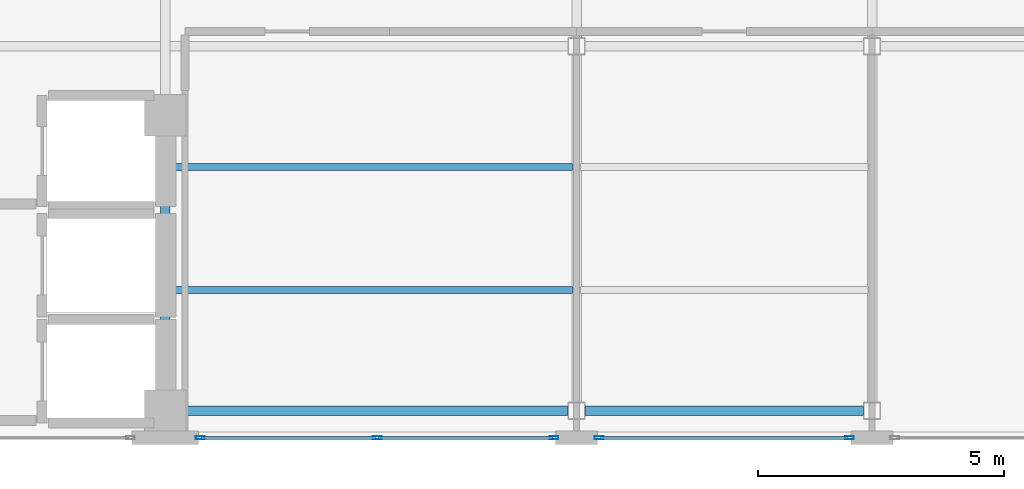
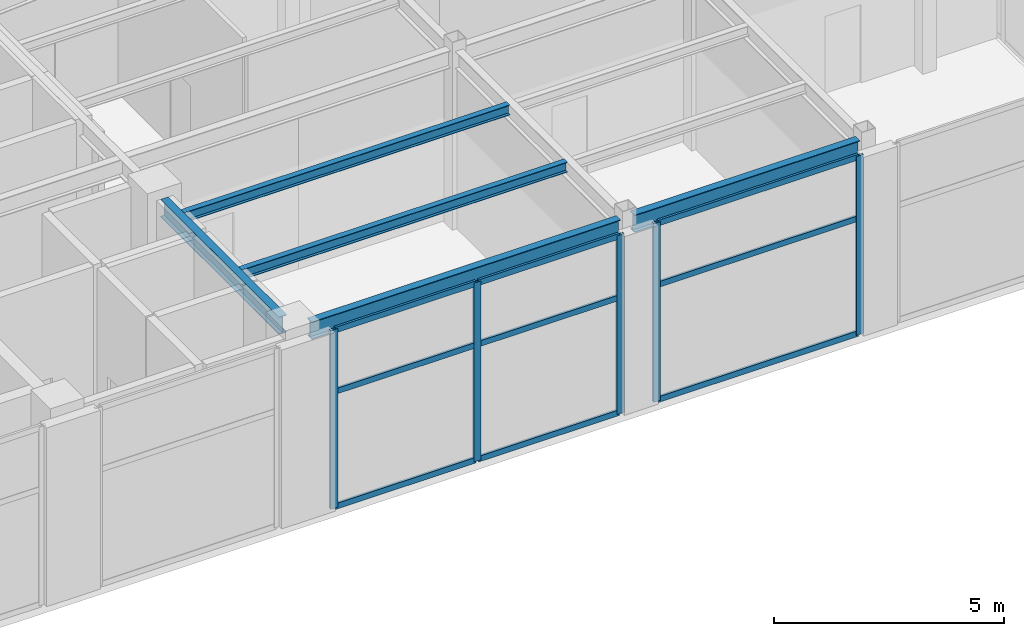
# One storey, part 4 of 15: 14 members, 5 beams, 2 elements without a shape of their own.
"""IFC4 building model written with IfcOpenShell, lengths in metres."""

from ifc_helpers import new_model, si_unit, direction, frame, origin, origin_2d, place, context, subcontext, project, spatial, hollow_rectangle, i_section, extrude, material, layer, layer_set, material_profile, profile_set, type_object, element, aggregate, save


model = new_model("IFC4")

# Units and contexts
model_context = context("Model", 3, precision=1e-05, world=origin(), true_north=direction((0.0, 1.0)))
body_context = subcontext(model_context, "Body", "Model", "MODEL_VIEW")
ifc_project = project(units=[si_unit("LENGTHUNIT", "METRE"), si_unit("AREAUNIT", "SQUARE_METRE"), si_unit("VOLUMEUNIT", "CUBIC_METRE"), si_unit("PLANEANGLEUNIT", "RADIAN"), si_unit("MASSUNIT", "GRAM", prefix="KILO")], contexts=[model_context])

# Site, building, storey
site_placement = place(None, origin())
site = spatial("IfcSite", under=ifc_project, at=site_placement, CompositionType="ELEMENT")
building_placement = place(site_placement, origin())
building = spatial("IfcBuilding", under=site, at=building_placement, Name="Mawjaban Terraces University", CompositionType="ELEMENT")
storey_placement = place(building_placement, frame((0.0, 0.0, 306.699951171875)))
storey = spatial("IfcBuildingStorey", under=building, at=storey_placement, Name="L75", CompositionType="ELEMENT", Elevation=306.699951171875)

# Beams
ifc_material_1 = material(Name="Steel ASTM A572 Grade 50", Category="steel")
ifc_material_profile_1 = material_profile(ifc_material_1, i_section(OverallWidth=0.19189453125, OverallDepth=0.462890625, WebThickness=0.010498046875, FlangeThickness=0.017578125, at=origin_2d()), Name="W460X89")
ifc_profile_set_1 = profile_set([ifc_material_profile_1], Name="Steel ASTM A572 Grade 50")
beam_type_1 = type_object("IfcBeamType", Name="Beam_B_W460X89", PredefinedType="BEAM", material=ifc_profile_set_1)
beam_1_placement = place(storey_placement, frame((38.074951171875, 0.550048828125, 4.509033203125), z_axis=(1.0, 0.0, 0.0), x_axis=(0.0, 1.0, 0.0)))
element("IfcBeam", 1, at=beam_1_placement, inside=storey, type_object=beam_type_1, Name="L75 Beam BM-L75-EW-01", PredefinedType="BEAM", context=body_context, shape_type="SweptSolid", body=[
    extrude(i_section(OverallWidth=0.19189453125, OverallDepth=0.462890625, WebThickness=0.010498046875, FlangeThickness=0.017578125, at=origin_2d()), origin(), (0.0, 0.0, 1.0), 7.75),
])
beam_2_placement = place(storey_placement, frame((46.175048828125, 0.550048828125, 4.509033203125), z_axis=(1.0, 0.0, 0.0), x_axis=(0.0, 1.0, 0.0)))
element("IfcBeam", 2, at=beam_2_placement, inside=storey, type_object=beam_type_1, Name="L75 Beam BM-L75-EW-02", PredefinedType="BEAM", context=body_context, shape_type="SweptSolid", body=[
    extrude(i_section(OverallWidth=0.19189453125, OverallDepth=0.462890625, WebThickness=0.010498046875, FlangeThickness=0.017578125, at=origin_2d()), origin(), (0.0, 0.0, 1.0), 5.64990234375),
])
beam_3_placement = place(storey_placement, frame((37.64990234375, 0.97509765625, 4.509033203125), z_axis=(0.0, 1.0, 0.0), x_axis=(-1.0, 0.0, 0.0)))
element("IfcBeam", 3, at=beam_3_placement, inside=storey, type_object=beam_type_1, Name="L75 Beam BM-L75-NS-04", PredefinedType="BEAM", context=body_context, shape_type="SweptSolid", body=[
    extrude(i_section(OverallWidth=0.19189453125, OverallDepth=0.462890625, WebThickness=0.010498046875, FlangeThickness=0.017578125, at=origin_2d()), origin(), (0.0, 0.0, 1.0), 5.14990234375),
])
ifc_material_profile_2 = material_profile(ifc_material_1, i_section(OverallWidth=0.14794921875, OverallDepth=0.26611328125, WebThickness=0.007568359375, FlangeThickness=0.012939453125, at=origin_2d()), Name="W250X45")
ifc_profile_set_2 = profile_set([ifc_material_profile_2], Name="Steel ASTM A572 Grade 50")
beam_type_2 = type_object("IfcBeamType", Name="Beam_J_W250X45", PredefinedType="JOIST", material=ifc_profile_set_2)
for number, where, z_axis, x_axis, name in (
    (4, (37.72998046875, 3.0, 4.60693359375), (1.0, 0.0, 0.0), (0.0, 1.0, 0.0), "L75 Composite Joist JST-L75-01"),
    (5, (37.72998046875, 5.5, 4.60693359375), (1.0, 0.0, 0.0), (0.0, 1.0, 0.0), "L75 Composite Joist JST-L75-03"),
):
    element("IfcBeam", number, at=place(storey_placement, frame(where, z_axis=z_axis, x_axis=x_axis)), inside=storey, type_object=beam_type_2, Name=name, PredefinedType="JOIST", context=body_context, shape_type="SweptSolid", body=[
        extrude(i_section(OverallWidth=0.14794921875, OverallDepth=0.26611328125, WebThickness=0.007568359375, FlangeThickness=0.012939453125, at=origin_2d()), origin(), (0.0, 0.0, 1.0), 8.18994140625),
    ])

# Curtain wall, members
ifc_material_2 = material(Name="Anodised aluminium 6063-T6 and solar-control low-E glass", Category="aluminium")
ifc_layer = layer(ifc_material_2, 0.199951171875)
ifc_layer_set = layer_set([ifc_layer], Name="Anodised aluminium 6063-T6 and solar-control low-E glass")
curtain_wall_type = type_object("IfcCurtainWallType", Name="CWSystem_06_ObservationCrown", PredefinedType="NOTDEFINED", material=ifc_layer_set)
curtain_wall_1_placement = place(storey_placement, origin())
curtain_wall_1 = element("IfcCurtainWall", 6, at=curtain_wall_1_placement, inside=storey, type_object=curtain_wall_type, Name="L75 Curtain Wall CW-06 Run 1.3", PredefinedType="NOTDEFINED")
ifc_material_3 = material(Name="Anodised aluminium 6063-T6", Category="aluminium")
ifc_material_profile_3 = material_profile(ifc_material_3, hollow_rectangle(XDim=0.06494140625, YDim=0.179931640625, WallThickness=0.00390625, at=origin_2d()), Name="ALU180X65X4")
ifc_profile_set_3 = profile_set([ifc_material_profile_3], Name="Anodised aluminium 6063-T6")
member_type_1 = type_object("IfcMemberType", Name="Mullion_CW-06", PredefinedType="MULLION", material=ifc_profile_set_3)
member_1_placement = place(storey_placement, frame((38.357421875, 0.0, 0.0), z_axis=(0.0, 0.0, 1.0), x_axis=(0.0, 1.0, 0.0)))
member_1 = element("IfcMember", 7, at=member_1_placement, type_object=member_type_1, Name="CW-06 mullion 1", PredefinedType="MULLION", context=body_context, shape_type="SweptSolid", body=[
    extrude(hollow_rectangle(XDim=0.06494140625, YDim=0.179931640625, WallThickness=0.00390625, at=origin_2d()), origin(), (0.0, 0.0, 1.0), 4.739990234375),
])
member_2_placement = place(storey_placement, frame((41.949951171875, 0.0, 0.0), z_axis=(0.0, 0.0, 1.0), x_axis=(0.0, 1.0, 0.0)))
member_2 = element("IfcMember", 8, at=member_2_placement, type_object=member_type_1, Name="CW-06 mullion 2", PredefinedType="MULLION", context=body_context, shape_type="SweptSolid", body=[
    extrude(hollow_rectangle(XDim=0.06494140625, YDim=0.179931640625, WallThickness=0.00390625, at=origin_2d()), origin(), (0.0, 0.0, 1.0), 4.739990234375),
])
member_3_placement = place(storey_placement, frame((45.54248046875, 0.0, 0.0), z_axis=(0.0, 0.0, 1.0), x_axis=(0.0, 1.0, 0.0)))
member_3 = element("IfcMember", 9, at=member_3_placement, type_object=member_type_1, Name="CW-06 mullion 3", PredefinedType="MULLION", context=body_context, shape_type="SweptSolid", body=[
    extrude(hollow_rectangle(XDim=0.06494140625, YDim=0.179931640625, WallThickness=0.00390625, at=origin_2d()), origin(), (0.0, 0.0, 1.0), 4.739990234375),
])

curtain_wall_2_placement = place(storey_placement, origin())
curtain_wall_2 = element("IfcCurtainWall", 10, at=curtain_wall_2_placement, inside=storey, type_object=curtain_wall_type, Name="L75 Curtain Wall CW-06 Run 1.4", PredefinedType="NOTDEFINED")
member_4_placement = place(storey_placement, frame((46.45751953125, 0.0, 0.0), z_axis=(0.0, 0.0, 1.0), x_axis=(0.0, 1.0, 0.0)))
member_4 = element("IfcMember", 11, at=member_4_placement, type_object=member_type_1, Name="CW-06 mullion 1", PredefinedType="MULLION", context=body_context, shape_type="SweptSolid", body=[
    extrude(hollow_rectangle(XDim=0.06494140625, YDim=0.179931640625, WallThickness=0.00390625, at=origin_2d()), origin(), (0.0, 0.0, 1.0), 4.739990234375),
])
member_5_placement = place(storey_placement, frame((51.54248046875, 0.0, 0.0), z_axis=(0.0, 0.0, 1.0), x_axis=(0.0, 1.0, 0.0)))
member_5 = element("IfcMember", 12, at=member_5_placement, type_object=member_type_1, Name="CW-06 mullion 2", PredefinedType="MULLION", context=body_context, shape_type="SweptSolid", body=[
    extrude(hollow_rectangle(XDim=0.06494140625, YDim=0.179931640625, WallThickness=0.00390625, at=origin_2d()), origin(), (0.0, 0.0, 1.0), 4.739990234375),
])

# Member
ifc_material_profile_4 = material_profile(ifc_material_3, hollow_rectangle(XDim=0.06005859375, YDim=0.14990234375, WallThickness=0.00390625, at=origin_2d()), Name="ALU150X60X4")
ifc_profile_set_4 = profile_set([ifc_material_profile_4], Name="Anodised aluminium 6063-T6")
member_type_2 = type_object("IfcMemberType", Name="Transom_CW-06", PredefinedType="NOTDEFINED", material=ifc_profile_set_4)
member_6_placement = place(storey_placement, frame((38.389892578125, 0.0, 0.030029296875), z_axis=(1.0, 0.0, 0.0), x_axis=(0.0, 1.0, 0.0)))
member_6 = element("IfcMember", 13, at=member_6_placement, type_object=member_type_2, Name="CW-06 transom 1.1", ObjectType="TRANSOM", PredefinedType="USERDEFINED", context=body_context, shape_type="SweptSolid", body=[
    extrude(hollow_rectangle(XDim=0.06005859375, YDim=0.14990234375, WallThickness=0.00390625, at=origin_2d()), origin(), (0.0, 0.0, 1.0), 3.527587890625),
])

member_7_placement = place(storey_placement, frame((38.389892578125, 0.0, 3.0810546875), z_axis=(1.0, 0.0, 0.0), x_axis=(0.0, 1.0, 0.0)))
member_7 = element("IfcMember", 14, at=member_7_placement, type_object=member_type_2, Name="CW-06 transom 1.2", ObjectType="TRANSOM", PredefinedType="USERDEFINED", context=body_context, shape_type="SweptSolid", body=[
    extrude(hollow_rectangle(XDim=0.06005859375, YDim=0.14990234375, WallThickness=0.00390625, at=origin_2d()), origin(), (0.0, 0.0, 1.0), 3.527587890625),
])

member_8_placement = place(storey_placement, frame((38.389892578125, 0.0, 4.7099609375), z_axis=(1.0, 0.0, 0.0), x_axis=(0.0, 1.0, 0.0)))
member_8 = element("IfcMember", 15, at=member_8_placement, type_object=member_type_2, Name="CW-06 transom 1.3", ObjectType="TRANSOM", PredefinedType="USERDEFINED", context=body_context, shape_type="SweptSolid", body=[
    extrude(hollow_rectangle(XDim=0.06005859375, YDim=0.14990234375, WallThickness=0.00390625, at=origin_2d()), origin(), (0.0, 0.0, 1.0), 3.527587890625),
])

member_9_placement = place(storey_placement, frame((41.982421875, 0.0, 0.030029296875), z_axis=(1.0, 0.0, 0.0), x_axis=(0.0, 1.0, 0.0)))
member_9 = element("IfcMember", 16, at=member_9_placement, type_object=member_type_2, Name="CW-06 transom 2.1", ObjectType="TRANSOM", PredefinedType="USERDEFINED", context=body_context, shape_type="SweptSolid", body=[
    extrude(hollow_rectangle(XDim=0.06005859375, YDim=0.14990234375, WallThickness=0.00390625, at=origin_2d()), origin(), (0.0, 0.0, 1.0), 3.527587890625),
])

member_10_placement = place(storey_placement, frame((41.982421875, 0.0, 3.0810546875), z_axis=(1.0, 0.0, 0.0), x_axis=(0.0, 1.0, 0.0)))
member_10 = element("IfcMember", 17, at=member_10_placement, type_object=member_type_2, Name="CW-06 transom 2.2", ObjectType="TRANSOM", PredefinedType="USERDEFINED", context=body_context, shape_type="SweptSolid", body=[
    extrude(hollow_rectangle(XDim=0.06005859375, YDim=0.14990234375, WallThickness=0.00390625, at=origin_2d()), origin(), (0.0, 0.0, 1.0), 3.527587890625),
])

member_11_placement = place(storey_placement, frame((41.982421875, 0.0, 4.7099609375), z_axis=(1.0, 0.0, 0.0), x_axis=(0.0, 1.0, 0.0)))
member_11 = element("IfcMember", 18, at=member_11_placement, type_object=member_type_2, Name="CW-06 transom 2.3", ObjectType="TRANSOM", PredefinedType="USERDEFINED", context=body_context, shape_type="SweptSolid", body=[
    extrude(hollow_rectangle(XDim=0.06005859375, YDim=0.14990234375, WallThickness=0.00390625, at=origin_2d()), origin(), (0.0, 0.0, 1.0), 3.527587890625),
])

aggregate(curtain_wall_1, [member_1, member_2, member_3, member_6, member_7, member_8, member_9, member_10, member_11])

member_12_placement = place(storey_placement, frame((46.489990234375, 0.0, 0.030029296875), z_axis=(1.0, 0.0, 0.0), x_axis=(0.0, 1.0, 0.0)))
member_12 = element("IfcMember", 19, at=member_12_placement, type_object=member_type_2, Name="CW-06 transom 1.1", ObjectType="TRANSOM", PredefinedType="USERDEFINED", context=body_context, shape_type="SweptSolid", body=[
    extrude(hollow_rectangle(XDim=0.06005859375, YDim=0.14990234375, WallThickness=0.00390625, at=origin_2d()), origin(), (0.0, 0.0, 1.0), 5.02001953125),
])

member_13_placement = place(storey_placement, frame((46.489990234375, 0.0, 3.0810546875), z_axis=(1.0, 0.0, 0.0), x_axis=(0.0, 1.0, 0.0)))
member_13 = element("IfcMember", 20, at=member_13_placement, type_object=member_type_2, Name="CW-06 transom 1.2", ObjectType="TRANSOM", PredefinedType="USERDEFINED", context=body_context, shape_type="SweptSolid", body=[
    extrude(hollow_rectangle(XDim=0.06005859375, YDim=0.14990234375, WallThickness=0.00390625, at=origin_2d()), origin(), (0.0, 0.0, 1.0), 5.02001953125),
])

member_14_placement = place(storey_placement, frame((46.489990234375, 0.0, 4.7099609375), z_axis=(1.0, 0.0, 0.0), x_axis=(0.0, 1.0, 0.0)))
member_14 = element("IfcMember", 21, at=member_14_placement, type_object=member_type_2, Name="CW-06 transom 1.3", ObjectType="TRANSOM", PredefinedType="USERDEFINED", context=body_context, shape_type="SweptSolid", body=[
    extrude(hollow_rectangle(XDim=0.06005859375, YDim=0.14990234375, WallThickness=0.00390625, at=origin_2d()), origin(), (0.0, 0.0, 1.0), 5.02001953125),
])

aggregate(curtain_wall_2, [member_4, member_5, member_12, member_13, member_14])

save(model, "model.ifc")
